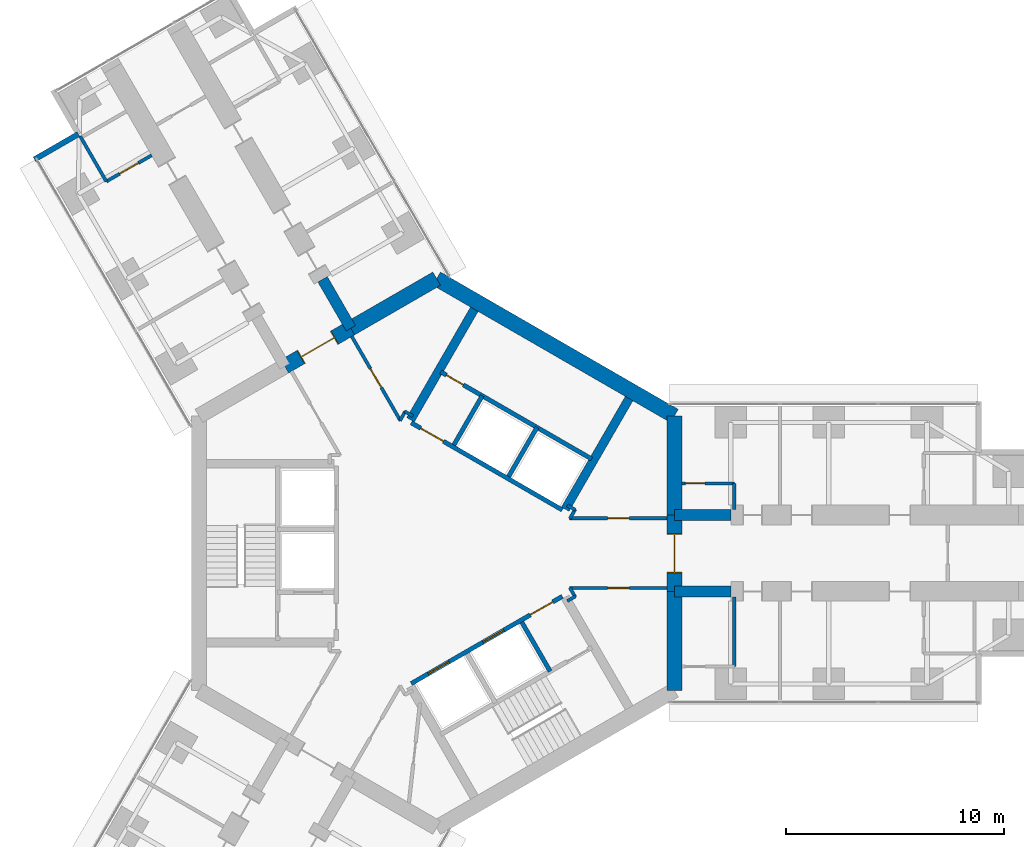
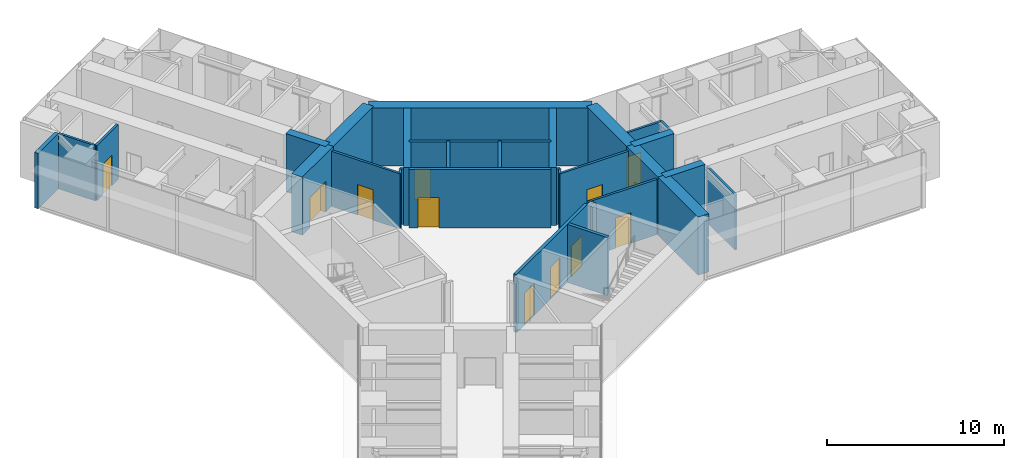
# One storey, part 18 of 24: 32 walls, 12 doors, 12 openings.
"""IFC4 building model written with IfcOpenShell, lengths in metres."""

import ifcopenshell
import ifcopenshell.guid

model = None  # the IFC model being written
_history = None  # IfcOwnerHistory: only IFC2X3 demands one
_inside = {}  # id of a spatial element -> (the spatial element, [elements in it])
_under = {}  # id of a project, library or spatial element -> (it, [spatial elements below it])
_declared = {}  # id of a project -> (the project, [libraries it declares])
_typed = {}  # id of a type object -> (the type object, [elements of that type])
_made_of = {}  # id of a material, layer set ... -> (it, [elements and type objects made of it])


def new_model(schema):
    """Start an empty IFC model of exactly this schema.

    Asked for "IFC4X3", IfcOpenShell would pick the latest addendum, in which some entities
    have other attributes; the version numbers below select the first issue.
    IFC2X3 requires an IfcOwnerHistory on every rooted entity: one is made here for all.
    """
    global model, _history
    if schema == "IFC4X3":
        model = ifcopenshell.file(schema_version=(4, 3, 0, 0))
    else:
        model = ifcopenshell.file(schema=schema)
    _inside.clear()
    _under.clear()
    _declared.clear()
    _typed.clear()
    _made_of.clear()
    _history = None
    if model.schema == "IFC2X3":
        org = make("IfcOrganization", Name="unknown")
        user = make(
            "IfcPersonAndOrganization",
            ThePerson=make("IfcPerson", FamilyName="unknown"),
            TheOrganization=org,
        )
        app = make(
            "IfcApplication",
            ApplicationDeveloper=org,
            Version="unknown",
            ApplicationFullName="unknown",
            ApplicationIdentifier="unknown",
        )
        _history = make(
            "IfcOwnerHistory",
            OwningUser=user,
            OwningApplication=app,
            ChangeAction="ADDED",
            CreationDate=0,
        )
    return model


def make(cls, **values):
    """One entity of the class cls with the attributes given. An attribute that is None is left unset."""
    return model.create_entity(
        cls, **{name: value for name, value in values.items() if value is not None}
    )


def rooted(cls, **values):
    """An entity with a GlobalId (a new one), such as an element, a storey or a relation."""
    return make(cls, GlobalId=ifcopenshell.guid.new(), OwnerHistory=_history, **values)


def si_unit(unit_type, name, prefix=None):
    """IfcSIUnit, for example si_unit("LENGTHUNIT", "METRE", prefix="MILLI")."""
    return make("IfcSIUnit", UnitType=unit_type, Prefix=prefix, Name=name)


def assignment(units):
    """IfcUnitAssignment: the units of a project."""
    return None if units is None else make("IfcUnitAssignment", Units=units)


def point(xyz):
    """IfcCartesianPoint."""
    return None if xyz is None else make("IfcCartesianPoint", Coordinates=xyz)


def direction(xyz):
    """IfcDirection."""
    return None if xyz is None else make("IfcDirection", DirectionRatios=xyz)


def frame(location, z_axis=None, x_axis=None):
    """IfcAxis2Placement3D, a coordinate frame: its origin and axes. An axis left out is left unset."""
    return make(
        "IfcAxis2Placement3D",
        Location=point(location),
        Axis=direction(z_axis),
        RefDirection=direction(x_axis),
    )


def frame_2d(location, x_axis=None):
    """IfcAxis2Placement2D, a coordinate frame in the plane: its origin and x axis."""
    return make(
        "IfcAxis2Placement2D", Location=point(location), RefDirection=direction(x_axis)
    )


def origin():
    """The frame at (0, 0, 0) with its axes left unset."""
    return frame((0.0, 0.0, 0.0))


def place(relative_to, where):
    """IfcLocalPlacement: puts the frame where relative to a parent placement (None: the world)."""
    return make(
        "IfcLocalPlacement", PlacementRelTo=relative_to, RelativePlacement=where
    )


def context(
    kind, dimensions, precision=None, world=None, true_north=None, identifier=None
):
    """IfcGeometricRepresentationContext, for example the 3D "Model" context."""
    return make(
        "IfcGeometricRepresentationContext",
        ContextIdentifier=identifier,
        ContextType=kind,
        CoordinateSpaceDimension=dimensions,
        Precision=precision,
        WorldCoordinateSystem=world,
        TrueNorth=true_north,
    )


def subcontext(parent, identifier, kind, view, scale=None):
    """IfcGeometricRepresentationSubContext, for example "Body" below "Model"."""
    return make(
        "IfcGeometricRepresentationSubContext",
        ContextIdentifier=identifier,
        ContextType=kind,
        ParentContext=parent,
        TargetScale=scale,
        TargetView=view,
    )


def project(units=None, contexts=None):
    """IfcProject with its units and contexts."""
    return rooted(
        "IfcProject",
        Name="project",
        RepresentationContexts=contexts,
        UnitsInContext=assignment(units),
    )


def spatial(cls, under=None, at=None, **own):
    """A site, building, storey or space (cls), placed at a placement, below another one or the project."""
    s = rooted(cls, ObjectPlacement=at, **own)
    if under is not None:
        _under.setdefault(under.id(), (under, []))[1].append(s)
    return s


def profile(cls, at=None, kind="AREA", **sizes):
    """A parametric profile (cls). Its sizes go by their IFC names, for example OverallWidth=200.0."""
    return make(cls, ProfileType=kind, Position=at, **sizes)


def rectangle(**sizes):
    """IfcRectangleProfileDef."""
    return profile("IfcRectangleProfileDef", **sizes)


def extrude(swept, where, along, depth):
    """IfcExtrudedAreaSolid: the profile swept, set in the frame where, extruded along a direction by depth."""
    return make(
        "IfcExtrudedAreaSolid",
        SweptArea=swept,
        Position=where,
        ExtrudedDirection=direction(along),
        Depth=depth,
    )


def shape(context_of_items, identifier, shape_type, items):
    """IfcShapeRepresentation: the items that make up one representation, for example the "Body"."""
    return make(
        "IfcShapeRepresentation",
        ContextOfItems=context_of_items,
        RepresentationIdentifier=identifier,
        RepresentationType=shape_type,
        Items=items,
    )


def material(Name=None, Category=None):
    """IfcMaterial."""
    return make("IfcMaterial", Name=Name, Category=Category)


def layer(
    of_material, thickness, ventilated=None, Name=None, Category=None, Priority=None
):
    """IfcMaterialLayer: one layer of a wall or slab, of a material (None: an air gap)."""
    return make(
        "IfcMaterialLayer",
        Material=of_material,
        LayerThickness=thickness,
        IsVentilated=ventilated,
        Name=Name,
        Category=Category,
        Priority=Priority,
    )


def layer_set(layers, Name=None):
    """IfcMaterialLayerSet."""
    return make("IfcMaterialLayerSet", MaterialLayers=layers, LayerSetName=Name)


def made_of(thing, what):
    """Note that an element or type object is made of a material, layer set ...; save() writes the relation."""
    if what is not None:
        _made_of.setdefault(what.id(), (what, []))[1].append(thing)
    return thing


def type_object(cls, material=None, **own):
    """A type object (cls), such as IfcWallType, which elements share."""
    return made_of(rooted(cls, **own), material)


def element(
    cls,
    number,
    at=None,
    inside=None,
    cuts=None,
    type_object=None,
    material=None,
    context=None,
    identifier="Body",
    shape_type=None,
    held_by="IfcProductDefinitionShape",
    body=None,
    shapes=None,
    **own,
):
    """One element of the class cls, such as IfcWall. Its Tag is "e" and its number.

    at: its placement. inside: the storey or other place that contains it. cuts: it is an
    opening in that element (IfcRelVoidsElement). A single representation is given by context,
    identifier, shape_type and body (its items); several are given by shapes. held_by: the class
    of the entity that holds the representations. save() writes the other relations.
    """
    e = rooted(cls, Tag="e%d" % number, ObjectPlacement=at, **own)
    if body is not None:
        shapes = [shape(context, identifier, shape_type, body)]
    if shapes is not None:
        e.Representation = make(held_by, Representations=shapes)
    if inside is not None:
        _inside.setdefault(inside.id(), (inside, []))[1].append(e)
    if cuts is not None:
        rooted(
            "IfcRelVoidsElement", RelatingBuildingElement=cuts, RelatedOpeningElement=e
        )
    if type_object is not None:
        _typed.setdefault(type_object.id(), (type_object, []))[1].append(e)
    return made_of(e, material)


def fill(opening, filler):
    """IfcRelFillsElement: the door or window that sits in an opening."""
    return rooted(
        "IfcRelFillsElement",
        RelatingOpeningElement=opening,
        RelatedBuildingElement=filler,
    )


def aggregate(whole, parts):
    """IfcRelAggregates: a whole, such as a stair, and the parts it consists of."""
    return rooted("IfcRelAggregates", RelatingObject=whole, RelatedObjects=parts)


def save(model, path):
    """Write the relations noted so far, then the file.

    IfcRelAggregates (storeys below a building ...), IfcRelContainedInSpatialStructure (elements
    in a storey), IfcRelDefinesByType, IfcRelAssociatesMaterial and IfcRelDeclares: one each for
    every whole, place, type object, material and project.
    """
    for whole, parts in _under.values():
        aggregate(whole, parts)
    for where, things in _inside.values():
        rooted(
            "IfcRelContainedInSpatialStructure",
            RelatedElements=things,
            RelatingStructure=where,
        )
    for kind, things in _typed.values():
        rooted("IfcRelDefinesByType", RelatedObjects=things, RelatingType=kind)
    for what, things in _made_of.values():
        rooted("IfcRelAssociatesMaterial", RelatedObjects=things, RelatingMaterial=what)
    for by, libraries in _declared.values():
        rooted("IfcRelDeclares", RelatingContext=by, RelatedDefinitions=libraries)
    model.write(path)


model = new_model("IFC4")

# Units and contexts
model_context = context("Model", 3, precision=1e-05, world=origin(), true_north=direction((0.0, 1.0)))
body_context = subcontext(model_context, "Body", "Model", "MODEL_VIEW")
ifc_project = project(units=[si_unit("LENGTHUNIT", "METRE"), si_unit("AREAUNIT", "SQUARE_METRE"), si_unit("VOLUMEUNIT", "CUBIC_METRE"), si_unit("PLANEANGLEUNIT", "RADIAN"), si_unit("MASSUNIT", "GRAM", prefix="KILO")], contexts=[model_context])

# Site, building, storey
site_placement = place(None, origin())
site = spatial("IfcSite", under=ifc_project, at=site_placement, CompositionType="ELEMENT")
building_placement = place(site_placement, origin())
building = spatial("IfcBuilding", under=site, at=building_placement, Name="Upepo Twin Towers", CompositionType="ELEMENT")
storey_placement = place(building_placement, frame((0.0, 0.0, 52.5)))
storey = spatial("IfcBuildingStorey", under=building, at=storey_placement, Name="L12", CompositionType="ELEMENT", Elevation=52.5)

# Walls
ifc_material_1 = material(Name="Concrete C60/75", Category="concrete")
ifc_layer_1 = layer(ifc_material_1, 0.5)
ifc_layer_set_1 = layer_set([ifc_layer_1], Name="Concrete C60/75")
wall_type_1 = type_object("IfcWallType", Name="Buttress wall 500 RC", PredefinedType="SHEAR", material=ifc_layer_set_1)
for number, where, z_axis, x_axis, name in (
    (1, (10.908447265625, 1.75, 0.0), (0.0, 0.0, 1.0), (1.0, 0.0, 0.0), "T1 wing A buttress wall L"),
    (2, (10.908447265625, -1.75, 0.0), (0.0, 0.0, 1.0), (1.0, 0.0, 0.0), "T1 wing A buttress wall R"),
):
    element("IfcWall", number, at=place(storey_placement, frame(where, z_axis=z_axis, x_axis=x_axis)), inside=storey, type_object=wall_type_1, Name=name, PredefinedType="SHEAR", context=body_context, shape_type="SweptSolid", body=[
        extrude(rectangle(XDim=2.591552734375, YDim=0.5, at=frame_2d((1.2958984375, 0.0))), origin(), (0.0, 0.0, 1.0), 4.0),
    ])
wall_1_placement = place(storey_placement, frame((-3.938720703125, 10.32177734375, 0.0), z_axis=(0.0, 0.0, 1.0), x_axis=(-0.499918158782, 0.866072649678, 0.0)))
element("IfcWall", 3, at=wall_1_placement, inside=storey, type_object=wall_type_1, Name="T1 wing B buttress wall R", PredefinedType="SHEAR", context=body_context, shape_type="SweptSolid", body=[
    extrude(rectangle(XDim=2.591796875, YDim=0.5, at=frame_2d((1.2958984375, 0.0))), origin(), (0.0, 0.0, 1.0), 4.0),
])
ifc_material_2 = material(Name="Concrete C60/75", Category="concrete")
ifc_layer_2 = layer(ifc_material_2, 0.699951171875)
ifc_layer_set_2 = layer_set([ifc_layer_2], Name="Concrete C60/75")
wall_type_2 = type_object("IfcWallType", Name="Core wall 700 RC", PredefinedType="SHEAR", material=ifc_layer_set_2)
wall_2_placement = place(storey_placement, frame((10.908447265625, -6.2978515625, 0.0), z_axis=(0.0, 0.0, 1.0), x_axis=(0.0, 1.0, 0.0)))
element("IfcWall", 4, at=wall_2_placement, inside=storey, type_object=wall_type_2, Name="T1 core wall 000 R", PredefinedType="SHEAR", context=body_context, shape_type="SweptSolid", body=[
    extrude(rectangle(XDim=4.5478515625, YDim=0.699951171875, at=frame_2d((2.27392578125, 0.0))), origin(), (0.0, 0.0, 1.0), 4.0),
])

# Wall, opening, door
wall_3_placement = place(storey_placement, frame((10.908447265625, -1.75, 0.0), z_axis=(0.0, 0.0, 1.0), x_axis=(0.0, 1.0, 0.0)))
wall_3 = element("IfcWall", 5, at=wall_3_placement, inside=storey, type_object=wall_type_2, Name="T1 core wall 000", PredefinedType="SHEAR", context=body_context, shape_type="SweptSolid", body=[
    extrude(rectangle(XDim=3.5, YDim=0.699951171875, at=frame_2d((1.75, 0.0))), origin(), (0.0, 0.0, 1.0), 4.0),
])
opening_1_placement = place(wall_3_placement, frame((0.85009765625, 0.0, 0.0)))
opening_1 = element("IfcOpeningElement", 6, at=opening_1_placement, cuts=wall_3, Name="Opening D2", PredefinedType="OPENING", context=body_context, shape_type="SweptSolid", body=[
    extrude(rectangle(XDim=1.800048828125, YDim=2.10009765625, at=frame_2d((0.89990234375, 1.050048828125))), frame((0.0, 0.35986328125, 0.0), z_axis=(0.0, -1.0, 0.0), x_axis=(1.0, 0.0, 0.0)), (0.0, 0.0, 1.0), 0.719970703125),
])
ifc_material_3 = material(Name="Timber doorset", Category="wood")
door_type_1 = type_object("IfcDoorType", Name="Corridor double door 1800 FD60", OperationType="DOUBLE_DOOR_DOUBLE_SWING", PredefinedType="DOOR", material=ifc_material_3)
door_1_placement = place(opening_1_placement, origin())
door_1 = element("IfcDoor", 7, at=door_1_placement, inside=storey, type_object=door_type_1, Name="T1 L12 wing A corridor door", OperationType="DOUBLE_DOOR_DOUBLE_SWING", OverallHeight=2.10009765625, OverallWidth=1.800048828125, PredefinedType="DOOR", context=body_context, shape_type="SweptSolid", body=[
    extrude(rectangle(XDim=1.720048828125, YDim=2.06009765625, at=frame_2d((0.89990234375, 1.030029296875))), frame((0.0, 0.02490234375, 0.0), z_axis=(0.0, -1.0, 0.0), x_axis=(1.0, 0.0, 0.0)), (0.0, 0.0, 1.0), 0.050048828125),
    extrude(rectangle(XDim=0.04, YDim=2.10009765625, at=frame_2d((0.02001953125, 1.050048828125))), frame((0.0, 0.349609375, 0.0), z_axis=(0.0, -1.0, 0.0), x_axis=(1.0, 0.0, 0.0)), (0.0, 0.0, 1.0), 0.699462890625),
    extrude(rectangle(XDim=0.04, YDim=2.10009765625, at=frame_2d((1.780029296875, 1.050048828125))), frame((0.0, 0.349609375, 0.0), z_axis=(0.0, -1.0, 0.0), x_axis=(1.0, 0.0, 0.0)), (0.0, 0.0, 1.0), 0.699462890625),
    extrude(rectangle(XDim=1.720048828125, YDim=0.04, at=frame_2d((0.89990234375, 2.080078125))), frame((0.0, 0.349609375, 0.0), z_axis=(0.0, -1.0, 0.0), x_axis=(1.0, 0.0, 0.0)), (0.0, 0.0, 1.0), 0.699462890625),
])
fill(opening_1, door_1)

# Walls
wall_4_placement = place(storey_placement, frame((10.908447265625, 1.75, 0.0), z_axis=(0.0, 0.0, 1.0), x_axis=(0.0, 1.0, 0.0)))
element("IfcWall", 8, at=wall_4_placement, inside=storey, type_object=wall_type_2, Name="T1 core wall 000 L", PredefinedType="SHEAR", context=body_context, shape_type="SweptSolid", body=[
    extrude(rectangle(XDim=4.5478515625, YDim=0.699951171875, at=frame_2d((2.27392578125, 0.0))), origin(), (0.0, 0.0, 1.0), 4.0),
])
wall_5_placement = place(storey_placement, frame((10.908447265625, 6.2978515625, 0.0), z_axis=(0.0, 0.0, 1.0), x_axis=(-0.866021940709, 0.500005998175, 0.0)))
element("IfcWall", 9, at=wall_5_placement, inside=storey, type_object=wall_type_2, Name="T1 core wall 060", PredefinedType="SHEAR", context=body_context, shape_type="SweptSolid", body=[
    extrude(rectangle(XDim=12.595947265625, YDim=0.699951171875, at=frame_2d((6.2978515625, 0.0))), origin(), (0.0, 0.0, 1.0), 4.0),
])
wall_6_placement = place(storey_placement, frame((0.0, 12.595947265625, 0.0), z_axis=(0.0, 0.0, 1.0), x_axis=(-0.866011268655, -0.500024481964, 0.0)))
element("IfcWall", 10, at=wall_6_placement, inside=storey, type_object=wall_type_2, Name="T1 core wall 120 R", PredefinedType="SHEAR", context=body_context, shape_type="SweptSolid", body=[
    extrude(rectangle(XDim=4.548095703125, YDim=0.699951171875, at=frame_2d((2.27392578125, 0.0))), origin(), (0.0, 0.0, 1.0), 4.0),
])

# Wall, opening, door
wall_7_placement = place(storey_placement, frame((-3.938720703125, 10.32177734375, 0.0), z_axis=(0.0, 0.0, 1.0), x_axis=(-0.866019471182, -0.500010275428, 0.0)))
wall_7 = element("IfcWall", 11, at=wall_7_placement, inside=storey, type_object=wall_type_2, Name="T1 core wall 120", PredefinedType="SHEAR", context=body_context, shape_type="SweptSolid", body=[
    extrude(rectangle(XDim=3.5, YDim=0.699951171875, at=frame_2d((1.75, 0.0))), origin(), (0.0, 0.0, 1.0), 4.0),
])
opening_2_placement = place(wall_7_placement, frame((0.85009765625, 0.0, 0.0)))
opening_2 = element("IfcOpeningElement", 12, at=opening_2_placement, cuts=wall_7, Name="Opening D2", PredefinedType="OPENING", context=body_context, shape_type="SweptSolid", body=[
    extrude(rectangle(XDim=1.800048828125, YDim=2.10009765625, at=frame_2d((0.89990234375, 1.050048828125))), frame((0.0, 0.35986328125, 0.0), z_axis=(0.0, -1.0, 0.0), x_axis=(1.0, 0.0, 0.0)), (0.0, 0.0, 1.0), 0.719970703125),
])
door_2_placement = place(opening_2_placement, origin())
door_2 = element("IfcDoor", 13, at=door_2_placement, inside=storey, type_object=door_type_1, Name="T1 L12 wing B corridor door", OperationType="DOUBLE_DOOR_DOUBLE_SWING", OverallHeight=2.10009765625, OverallWidth=1.800048828125, PredefinedType="DOOR", context=body_context, shape_type="SweptSolid", body=[
    extrude(rectangle(XDim=1.720048828125, YDim=2.06009765625, at=frame_2d((0.89990234375, 1.030029296875))), frame((0.0, 0.02490234375, 0.0), z_axis=(0.0, -1.0, 0.0), x_axis=(1.0, 0.0, 0.0)), (0.0, 0.0, 1.0), 0.050048828125),
    extrude(rectangle(XDim=0.04, YDim=2.10009765625, at=frame_2d((0.02001953125, 1.050048828125))), frame((0.0, 0.349609375, 0.0), z_axis=(0.0, -1.0, 0.0), x_axis=(1.0, 0.0, 0.0)), (0.0, 0.0, 1.0), 0.699462890625),
    extrude(rectangle(XDim=0.04, YDim=2.10009765625, at=frame_2d((1.780029296875, 1.050048828125))), frame((0.0, 0.349609375, 0.0), z_axis=(0.0, -1.0, 0.0), x_axis=(1.0, 0.0, 0.0)), (0.0, 0.0, 1.0), 0.699462890625),
    extrude(rectangle(XDim=1.720048828125, YDim=0.04, at=frame_2d((0.89990234375, 2.080078125))), frame((0.0, 0.349609375, 0.0), z_axis=(0.0, -1.0, 0.0), x_axis=(1.0, 0.0, 0.0)), (0.0, 0.0, 1.0), 0.699462890625),
])
fill(opening_2, door_2)

# Wall
ifc_material_4 = material(Name="Blockwork with anodised aluminium cladding", Category="masonry")
ifc_layer_3 = layer(ifc_material_4, 0.25)
ifc_layer_set_3 = layer_set([ifc_layer_3], Name="Notch cladding wall 250, pale metal")
wall_type_3 = type_object("IfcWallType", Name="Notch cladding wall 250, pale metal", PredefinedType="STANDARD", material=ifc_layer_set_3)
wall_8_placement = place(storey_placement, frame((-18.456298828125, 18.0673828125, 0.0), z_axis=(0.0, 0.0, 1.0), x_axis=(0.865998469481, 0.500046648681, 0.0)))
element("IfcWall", 14, at=wall_8_placement, inside=storey, type_object=wall_type_3, Name="T1 L12 wing B notch wall L1", PredefinedType="STANDARD", context=body_context, shape_type="SweptSolid", body=[
    extrude(rectangle(XDim=2.324951171875, YDim=0.25, at=frame_2d((1.16259765625, 0.0))), origin(), (0.0, 0.0, 1.0), 3.800048828125),
])

# Wall, opening, door
ifc_material_5 = material(Name="Concrete C40/50", Category="concrete")
ifc_layer_4 = layer(ifc_material_5, 0.199951171875)
ifc_layer_set_4 = layer_set([ifc_layer_4], Name="Concrete C40/50")
wall_type_4 = type_object("IfcWallType", Name="Shaft wall 200 RC", PredefinedType="SHEAR", material=ifc_layer_set_4)
wall_9_placement = place(storey_placement, frame((5.76416015625, 1.983642578125, 0.0), z_axis=(0.0, 0.0, 1.0), x_axis=(-0.866026010844, 0.49999894854, 0.0)))
wall_9 = element("IfcWall", 15, at=wall_9_placement, inside=storey, type_object=wall_type_4, Name="T1 core W60 front wall", PredefinedType="SHEAR", context=body_context, shape_type="SweptSolid", body=[
    extrude(rectangle(XDim=8.0, YDim=0.199951171875, at=frame_2d((4.0, 0.0))), origin(), (0.0, 0.0, 1.0), 4.0),
])
opening_3_placement = place(wall_9_placement, frame((6.300048828125, 0.0, 0.0)))
opening_3 = element("IfcOpeningElement", 16, at=opening_3_placement, cuts=wall_9, Name="Opening D4", PredefinedType="OPENING", context=body_context, shape_type="SweptSolid", body=[
    extrude(rectangle(XDim=1.199951171875, YDim=2.10009765625, at=frame_2d((0.60009765625, 1.050048828125))), frame((0.0, 0.10986328125, 0.0), z_axis=(0.0, -1.0, 0.0), x_axis=(1.0, 0.0, 0.0)), (0.0, 0.0, 1.0), 0.219970703125),
])
ifc_material_6 = material(Name="Timber doorset", Category="wood")
door_type_2 = type_object("IfcDoorType", Name="Lobby door 1200 FD60", OperationType="SINGLE_SWING_LEFT", PredefinedType="DOOR", material=ifc_material_6)
door_3_placement = place(opening_3_placement, origin())
door_3 = element("IfcDoor", 17, at=door_3_placement, inside=storey, type_object=door_type_2, Name="T1 L12 W60 lobby door", OperationType="SINGLE_SWING_RIGHT", OverallHeight=2.10009765625, OverallWidth=1.199951171875, PredefinedType="DOOR", context=body_context, shape_type="SweptSolid", body=[
    extrude(rectangle(XDim=1.199951171875, YDim=2.10009765625, at=frame_2d((0.60009765625, 1.050048828125))), frame((0.0, 0.02490234375, 0.0), z_axis=(0.0, -1.0, 0.0), x_axis=(1.0, 0.0, 0.0)), (0.0, 0.0, 1.0), 0.050048828125),
])
fill(opening_3, door_3)

# Walls
for number, where, z_axis, x_axis, name in (
    (18, (3.302734375, 3.520263671875, 0.0), (0.0, 0.0, 1.0), (0.499936506574, 0.866062058628, 0.0), "T1 core W60 shaft divider"),
    (19, (0.791259765625, 4.97021484375, 0.0), (0.0, 0.0, 1.0), (0.499936506574, 0.866062058628, 0.0), "T1 core W60 lobby wall"),
):
    element("IfcWall", number, at=place(storey_placement, frame(where, z_axis=z_axis, x_axis=x_axis)), inside=storey, type_object=wall_type_4, Name=name, PredefinedType="SHEAR", context=body_context, shape_type="SweptSolid", body=[
        extrude(rectangle(XDim=2.599853515625, YDim=0.199951171875, at=frame_2d((1.2998046875, 0.0))), origin(), (0.0, 0.0, 1.0), 4.0),
    ])

# Wall, opening, door
wall_10_placement = place(storey_placement, frame((7.114013671875, 4.322021484375, 0.0), z_axis=(0.0, 0.0, 1.0), x_axis=(-0.866026010844, 0.49999894854, 0.0)))
wall_10 = element("IfcWall", 20, at=wall_10_placement, inside=storey, type_object=wall_type_4, Name="T1 core W60 stair wall", PredefinedType="SHEAR", context=body_context, shape_type="SweptSolid", body=[
    extrude(rectangle(XDim=8.0, YDim=0.199951171875, at=frame_2d((4.0, 0.0))), origin(), (0.0, 0.0, 1.0), 4.0),
])
opening_4_placement = place(wall_10_placement, frame((6.800048828125, 0.0, 0.0)))
opening_4 = element("IfcOpeningElement", 21, at=opening_4_placement, cuts=wall_10, Name="Opening D9", PredefinedType="OPENING", context=body_context, shape_type="SweptSolid", body=[
    extrude(rectangle(XDim=0.89990234375, YDim=2.10009765625, at=frame_2d((0.449951171875, 1.050048828125))), frame((0.0, 0.10986328125, 0.0), z_axis=(0.0, -1.0, 0.0), x_axis=(1.0, 0.0, 0.0)), (0.0, 0.0, 1.0), 0.219970703125),
])
ifc_material_7 = material(Name="Timber doorset", Category="wood")
door_type_3 = type_object("IfcDoorType", Name="Riser door 900 FD60", OperationType="SINGLE_SWING_LEFT", PredefinedType="DOOR", material=ifc_material_7)
door_4_placement = place(opening_4_placement, origin())
door_4 = element("IfcDoor", 22, at=door_4_placement, inside=storey, type_object=door_type_3, Name="T1 L12 riser door", OperationType="SINGLE_SWING_RIGHT", OverallHeight=2.10009765625, OverallWidth=0.89990234375, PredefinedType="DOOR", context=body_context, shape_type="SweptSolid", body=[
    extrude(rectangle(XDim=0.89990234375, YDim=2.10009765625, at=frame_2d((0.449951171875, 1.050048828125))), frame((0.0, 0.02490234375, 0.0), z_axis=(0.0, -1.0, 0.0), x_axis=(1.0, 0.0, 0.0)), (0.0, 0.0, 1.0), 0.050048828125),
])
fill(opening_4, door_4)

# Wall, openings, doors
wall_11_placement = place(storey_placement, frame((-1.1640625, -5.983642578125, 0.0), z_axis=(0.0, 0.0, 1.0), x_axis=(0.866026010844, 0.49999894854, 0.0)))
wall_11 = element("IfcWall", 23, at=wall_11_placement, inside=storey, type_object=wall_type_4, Name="T1 core W300 front wall", PredefinedType="SHEAR", context=body_context, shape_type="SweptSolid", body=[
    extrude(rectangle(XDim=8.0, YDim=0.199951171875, at=frame_2d((4.0, 0.0))), origin(), (0.0, 0.0, 1.0), 4.0),
])
opening_5_placement = place(wall_11_placement, frame((6.300048828125, 0.0, 0.0)))
opening_5 = element("IfcOpeningElement", 24, at=opening_5_placement, cuts=wall_11, Name="Opening D4", PredefinedType="OPENING", context=body_context, shape_type="SweptSolid", body=[
    extrude(rectangle(XDim=1.199951171875, YDim=2.10009765625, at=frame_2d((0.60009765625, 1.050048828125))), frame((0.0, 0.10986328125, 0.0), z_axis=(0.0, -1.0, 0.0), x_axis=(1.0, 0.0, 0.0)), (0.0, 0.0, 1.0), 0.219970703125),
])
opening_6_placement = place(wall_11_placement, frame((0.89990234375, 0.0, 0.0)))
opening_6 = element("IfcOpeningElement", 25, at=opening_6_placement, cuts=wall_11, Name="Opening LD1", PredefinedType="OPENING", context=body_context, shape_type="SweptSolid", body=[
    extrude(rectangle(XDim=1.10009765625, YDim=2.199951171875, at=frame_2d((0.550048828125, 1.10009765625))), frame((0.0, 0.10986328125, 0.0), z_axis=(0.0, -1.0, 0.0), x_axis=(1.0, 0.0, 0.0)), (0.0, 0.0, 1.0), 0.219970703125),
])
opening_7_placement = place(wall_11_placement, frame((3.800048828125, 0.0, 0.0)))
opening_7 = element("IfcOpeningElement", 26, at=opening_7_placement, cuts=wall_11, Name="Opening LD1", PredefinedType="OPENING", context=body_context, shape_type="SweptSolid", body=[
    extrude(rectangle(XDim=1.10009765625, YDim=2.199951171875, at=frame_2d((0.550048828125, 1.10009765625))), frame((0.0, 0.10986328125, 0.0), z_axis=(0.0, -1.0, 0.0), x_axis=(1.0, 0.0, 0.0)), (0.0, 0.0, 1.0), 0.219970703125),
])
ifc_material_8 = material(Name="Steel doorset", Category="steel")
door_type_4 = type_object("IfcDoorType", Name="Lift landing door 1100", OperationType="DOUBLE_DOOR_SLIDING", PredefinedType="DOOR", material=ifc_material_8)
door_5_placement = place(opening_6_placement, origin())
door_5 = element("IfcDoor", 27, at=door_5_placement, inside=storey, type_object=door_type_4, Name="T1 L12 lift LL1 landing door", OperationType="DOUBLE_DOOR_SLIDING", OverallHeight=2.199951171875, OverallWidth=1.10009765625, PredefinedType="DOOR", context=body_context, shape_type="SweptSolid", body=[
    extrude(rectangle(XDim=1.10009765625, YDim=2.199951171875, at=frame_2d((0.550048828125, 1.10009765625))), frame((0.0, 0.02490234375, 0.0), z_axis=(0.0, -1.0, 0.0), x_axis=(1.0, 0.0, 0.0)), (0.0, 0.0, 1.0), 0.050048828125),
])
fill(opening_6, door_5)
door_6_placement = place(opening_7_placement, origin())
door_6 = element("IfcDoor", 28, at=door_6_placement, inside=storey, type_object=door_type_4, Name="T1 L12 lift LL2 landing door", OperationType="DOUBLE_DOOR_SLIDING", OverallHeight=2.199951171875, OverallWidth=1.10009765625, PredefinedType="DOOR", context=body_context, shape_type="SweptSolid", body=[
    extrude(rectangle(XDim=1.10009765625, YDim=2.199951171875, at=frame_2d((0.550048828125, 1.10009765625))), frame((0.0, 0.02490234375, 0.0), z_axis=(0.0, -1.0, 0.0), x_axis=(1.0, 0.0, 0.0)), (0.0, 0.0, 1.0), 0.050048828125),
])
fill(opening_7, door_6)
door_7_placement = place(opening_5_placement, origin())
door_7 = element("IfcDoor", 29, at=door_7_placement, inside=storey, type_object=door_type_2, Name="T1 L12 W300 lobby door", OperationType="SINGLE_SWING_RIGHT", OverallHeight=2.10009765625, OverallWidth=1.199951171875, PredefinedType="DOOR", context=body_context, shape_type="SweptSolid", body=[
    extrude(rectangle(XDim=1.199951171875, YDim=2.10009765625, at=frame_2d((0.60009765625, 1.050048828125))), frame((0.0, 0.02490234375, 0.0), z_axis=(0.0, -1.0, 0.0), x_axis=(1.0, 0.0, 0.0)), (0.0, 0.0, 1.0), 0.050048828125),
])
fill(opening_5, door_7)

# Walls
wall_12_placement = place(storey_placement, frame((3.908935546875, -3.17041015625, 0.0), z_axis=(0.0, 0.0, 1.0), x_axis=(0.49997716683, -0.86603858612, 0.0)))
element("IfcWall", 30, at=wall_12_placement, inside=storey, type_object=wall_type_4, Name="T1 core W300 lobby wall", PredefinedType="SHEAR", context=body_context, shape_type="SweptSolid", body=[
    extrude(rectangle(XDim=2.599609375, YDim=0.199951171875, at=frame_2d((1.2998046875, 0.0))), origin(), (0.0, 0.0, 1.0), 4.0),
])
ifc_material_9 = material(Name="Concrete C40/50", Category="concrete")
ifc_layer_5 = layer(ifc_material_9, 0.39990234375)
ifc_layer_set_5 = layer_set([ifc_layer_5], Name="Concrete C40/50")
wall_type_5 = type_object("IfcWallType", Name="Shaft wall 400 RC", PredefinedType="SHEAR", material=ifc_layer_set_5)
for number, where, z_axis, x_axis, name in (
    (31, (-1.20068359375, 6.120361328125, 0.0), (0.0, 0.0, 1.0), (0.500002627198, 0.866023886965, 0.0), "T1 core W60 side wall N"),
    (32, (5.900634765625, 2.020263671875, 0.0), (0.0, 0.0, 1.0), (0.500002627198, 0.866023886965, 0.0), "T1 core W60 side wall S"),
):
    element("IfcWall", number, at=place(storey_placement, frame(where, z_axis=z_axis, x_axis=x_axis)), inside=storey, type_object=wall_type_5, Name=name, PredefinedType="SHEAR", context=body_context, shape_type="SweptSolid", body=[
        extrude(rectangle(XDim=5.8583984375, YDim=0.39990234375, at=frame_2d((2.92919921875, 0.0))), origin(), (0.0, 0.0, 1.0), 4.0),
    ])

# Wall, opening, door
ifc_material_10 = material(Name="Gypsum board on steel studs", Category="steel")
ifc_layer_6 = layer(ifc_material_10, 0.14990234375)
ifc_layer_set_6 = layer_set([ifc_layer_6], Name="Teaching partition 150 acoustic")
wall_type_6 = type_object("IfcWallType", Name="Teaching partition 150 acoustic", PredefinedType="PARTITIONING", material=ifc_layer_set_6)
wall_13_placement = place(storey_placement, frame((11.258056640625, 3.199951171875, 0.0), z_axis=(0.0, 0.0, 1.0), x_axis=(1.0, 0.0, 0.0)))
wall_13 = element("IfcWall", 33, at=wall_13_placement, inside=storey, type_object=wall_type_6, Name="T1 WC bay partition AL at 11.26", PredefinedType="PARTITIONING", context=body_context, shape_type="SweptSolid", body=[
    extrude(rectangle(XDim=2.39990234375, YDim=0.14990234375, at=frame_2d((1.199951171875, 0.0))), origin(), (0.0, 0.0, 1.0), 3.800048828125),
])
opening_8_placement = place(wall_13_placement, frame((0.14990234375, 0.0, 0.0)))
opening_8 = element("IfcOpeningElement", 34, at=opening_8_placement, cuts=wall_13, Name="Opening D14", PredefinedType="OPENING", context=body_context, shape_type="SweptSolid", body=[
    extrude(rectangle(XDim=0.89990234375, YDim=2.10009765625, at=frame_2d((0.449951171875, 1.050048828125))), frame((0.0, 0.0849609375, 0.0), z_axis=(0.0, -1.0, 0.0), x_axis=(1.0, 0.0, 0.0)), (0.0, 0.0, 1.0), 0.169921875),
])
ifc_material_11 = material(Name="Timber doorset", Category="wood")
door_type_5 = type_object("IfcDoorType", Name="Office door 900 FD30", OperationType="SINGLE_SWING_LEFT", PredefinedType="DOOR", material=ifc_material_11)
door_8_placement = place(opening_8_placement, origin())
door_8 = element("IfcDoor", 35, at=door_8_placement, inside=storey, type_object=door_type_5, Name="T1 L12 WC bay inner room door", OperationType="SINGLE_SWING_LEFT", OverallHeight=2.10009765625, OverallWidth=0.89990234375, PredefinedType="DOOR", context=body_context, shape_type="SweptSolid", body=[
    extrude(rectangle(XDim=0.89990234375, YDim=2.10009765625, at=frame_2d((0.449951171875, 1.050048828125))), frame((0.0, 0.02490234375, 0.0), z_axis=(0.0, -1.0, 0.0), x_axis=(1.0, 0.0, 0.0)), (0.0, 0.0, 1.0), 0.050048828125),
])
fill(opening_8, door_8)

# Walls
wall_14_placement = place(storey_placement, frame((13.657958984375, 2.0, 0.0), z_axis=(0.0, 0.0, 1.0), x_axis=(0.0, 1.0, 0.0)))
element("IfcWall", 36, at=wall_14_placement, inside=storey, type_object=wall_type_6, Name="T1 WC bay partition AL end at 13.66", PredefinedType="PARTITIONING", context=body_context, shape_type="SweptSolid", body=[
    extrude(rectangle(XDim=1.199951171875, YDim=0.14990234375, at=frame_2d((0.60009765625, 0.0))), origin(), (0.0, 0.0, 1.0), 3.800048828125),
])
wall_15_placement = place(storey_placement, frame((13.657958984375, -2.0, 0.0), z_axis=(0.0, 0.0, 1.0), x_axis=(0.0, -1.0, 0.0)))
element("IfcWall", 37, at=wall_15_placement, inside=storey, type_object=wall_type_6, Name="T1 WC bay partition AR end at 13.66", PredefinedType="PARTITIONING", context=body_context, shape_type="SweptSolid", body=[
    extrude(rectangle(XDim=3.199951171875, YDim=0.14990234375, at=frame_2d((1.60009765625, 0.0))), origin(), (0.0, 0.0, 1.0), 3.800048828125),
])
wall_16_placement = place(storey_placement, frame((-15.15869140625, 17.0556640625, 0.0), z_axis=(0.0, 0.0, 1.0), x_axis=(-0.500001309137, 0.866024647952, 0.0)))
element("IfcWall", 38, at=wall_16_placement, inside=storey, type_object=wall_type_6, Name="T1 inner room partition BL at 22.35", PredefinedType="PARTITIONING", context=body_context, shape_type="SweptSolid", body=[
    extrude(rectangle(XDim=2.39990234375, YDim=0.14990234375, at=frame_2d((1.199951171875, 0.0))), origin(), (0.0, 0.0, 1.0), 3.800048828125),
])

# Wall, opening, door
wall_17_placement = place(storey_placement, frame((-13.080322265625, 18.255615234375, 0.0), z_axis=(0.0, 0.0, 1.0), x_axis=(-0.866024647952, -0.500001309137, 0.0)))
wall_17 = element("IfcWall", 39, at=wall_17_placement, inside=storey, type_object=wall_type_6, Name="T1 inner room partition BL end at 22.35", PredefinedType="PARTITIONING", context=body_context, shape_type="SweptSolid", body=[
    extrude(rectangle(XDim=2.39990234375, YDim=0.14990234375, at=frame_2d((1.199951171875, 0.0))), origin(), (0.0, 0.0, 1.0), 3.800048828125),
])
opening_9_placement = place(wall_17_placement, frame((0.699951171875, 0.0, 0.0)))
opening_9 = element("IfcOpeningElement", 40, at=opening_9_placement, cuts=wall_17, Name="Opening D1", PredefinedType="OPENING", context=body_context, shape_type="SweptSolid", body=[
    extrude(rectangle(XDim=1.0, YDim=2.10009765625, at=frame_2d((0.5, 1.050048828125))), frame((0.0, 0.0849609375, 0.0), z_axis=(0.0, -1.0, 0.0), x_axis=(1.0, 0.0, 0.0)), (0.0, 0.0, 1.0), 0.169921875),
])
ifc_material_12 = material(Name="Timber doorset", Category="wood")
door_type_6 = type_object("IfcDoorType", Name="Room door 1000 FD30", OperationType="SINGLE_SWING_LEFT", PredefinedType="DOOR", material=ifc_material_12)
door_9_placement = place(opening_9_placement, origin())
door_9 = element("IfcDoor", 41, at=door_9_placement, inside=storey, type_object=door_type_6, Name="T1 L12 inner room door", OperationType="SINGLE_SWING_LEFT", OverallHeight=2.10009765625, OverallWidth=1.0, PredefinedType="DOOR", context=body_context, shape_type="SweptSolid", body=[
    extrude(rectangle(XDim=1.0, YDim=2.10009765625, at=frame_2d((0.5, 1.050048828125))), frame((0.0, 0.02490234375, 0.0), z_axis=(0.0, -1.0, 0.0), x_axis=(1.0, 0.0, 0.0)), (0.0, 0.0, 1.0), 0.050048828125),
])
fill(opening_9, door_9)

# Wall
wall_18_placement = place(storey_placement, frame((6.364501953125, -1.9833984375, 0.0), z_axis=(0.0, 0.0, 1.0), x_axis=(-0.865892400268, -0.500230298122, 0.0)))
element("IfcWall", 42, at=wall_18_placement, inside=storey, type_object=wall_type_6, Name="T1 core room partition 1", PredefinedType="PARTITIONING", context=body_context, shape_type="SweptSolid", body=[
    extrude(rectangle(XDim=0.429931640625, YDim=0.14990234375, at=frame_2d((0.21484375, 0.0))), origin(), (0.0, 0.0, 1.0), 3.800048828125),
])

# Wall, opening, door
wall_19_placement = place(storey_placement, frame((-3.8984375, 9.952392578125, 0.0), z_axis=(0.0, 0.0, 1.0), x_axis=(0.499999927604, -0.866025445582, 0.0)))
wall_19 = element("IfcWall", 43, at=wall_19_placement, inside=storey, type_object=wall_type_6, Name="T1 core room partition 11", PredefinedType="PARTITIONING", context=body_context, shape_type="SweptSolid", body=[
    extrude(rectangle(XDim=4.46826171875, YDim=0.14990234375, at=frame_2d((2.234130859375, 0.0))), origin(), (0.0, 0.0, 1.0), 3.800048828125),
])
opening_10_placement = place(wall_19_placement, frame((1.72412109375, 0.0, 0.0)))
opening_10 = element("IfcOpeningElement", 44, at=opening_10_placement, cuts=wall_19, Name="Opening D1", PredefinedType="OPENING", context=body_context, shape_type="SweptSolid", body=[
    extrude(rectangle(XDim=1.0, YDim=2.10009765625, at=frame_2d((0.5, 1.050048828125))), frame((0.0, 0.0849609375, 0.0), z_axis=(0.0, -1.0, 0.0), x_axis=(1.0, 0.0, 0.0)), (0.0, 0.0, 1.0), 0.169921875),
])
door_10_placement = place(opening_10_placement, origin())
door_10 = element("IfcDoor", 45, at=door_10_placement, inside=storey, type_object=door_type_6, Name="T1 L12 core room door K6", OperationType="SINGLE_SWING_LEFT", OverallHeight=2.10009765625, OverallWidth=1.0, PredefinedType="DOOR", context=body_context, shape_type="SweptSolid", body=[
    extrude(rectangle(XDim=1.0, YDim=2.10009765625, at=frame_2d((0.5, 1.050048828125))), frame((0.0, 0.02490234375, 0.0), z_axis=(0.0, -1.0, 0.0), x_axis=(1.0, 0.0, 0.0)), (0.0, 0.0, 1.0), 0.050048828125),
])
fill(opening_10, door_10)

# Walls
wall_20_placement = place(storey_placement, frame((-1.684326171875, 6.082763671875, 0.0), z_axis=(0.0, 0.0, 1.0), x_axis=(0.50033519877, 0.865831790172, 0.0)))
element("IfcWall", 46, at=wall_20_placement, inside=storey, type_object=wall_type_6, Name="T1 core room partition 12", PredefinedType="PARTITIONING", context=body_context, shape_type="SweptSolid", body=[
    extrude(rectangle(XDim=0.494384765625, YDim=0.14990234375, at=frame_2d((0.2470703125, 0.0))), origin(), (0.0, 0.0, 1.0), 3.800048828125),
])
for number, where, z_axis, x_axis, name in (
    (47, (-1.46435546875, 6.50341796875, 0.0), (0.0, 0.0, 1.0), (0.866138304741, -0.499804398801, 0.0), "T1 core room partition 13"),
    (48, (5.9921875, 2.198486328125, 0.0), (0.0, 0.0, 1.0), (0.865892400268, -0.500230298122, 0.0), "T1 core room partition 14"),
):
    element("IfcWall", number, at=place(storey_placement, frame(where, z_axis=z_axis, x_axis=x_axis)), inside=storey, type_object=wall_type_6, Name=name, PredefinedType="PARTITIONING", context=body_context, shape_type="SweptSolid", body=[
        extrude(rectangle(XDim=0.429931640625, YDim=0.14990234375, at=frame_2d((0.21484375, 0.0))), origin(), (0.0, 0.0, 1.0), 3.800048828125),
    ])
wall_21_placement = place(storey_placement, frame((6.357177734375, 2.0107421875, 0.0), z_axis=(0.0, 0.0, 1.0), x_axis=(-0.50033519877, -0.865831790172, 0.0)))
element("IfcWall", 49, at=wall_21_placement, inside=storey, type_object=wall_type_6, Name="T1 core room partition 15", PredefinedType="PARTITIONING", context=body_context, shape_type="SweptSolid", body=[
    extrude(rectangle(XDim=0.494384765625, YDim=0.14990234375, at=frame_2d((0.2470703125, 0.0))), origin(), (0.0, 0.0, 1.0), 3.800048828125),
])

# Wall, opening, door
wall_22_placement = place(storey_placement, frame((6.099853515625, 1.60009765625, 0.0), z_axis=(0.0, 0.0, 1.0), x_axis=(1.0, 0.0, 0.0)))
wall_22 = element("IfcWall", 50, at=wall_22_placement, inside=storey, type_object=wall_type_6, Name="T1 core room partition 16", PredefinedType="PARTITIONING", context=body_context, shape_type="SweptSolid", body=[
    extrude(rectangle(XDim=4.468505859375, YDim=0.14990234375, at=frame_2d((2.234375, 0.0))), origin(), (0.0, 0.0, 1.0), 3.800048828125),
])
opening_11_placement = place(wall_22_placement, frame((1.744384765625, 0.0, 0.0)))
opening_11 = element("IfcOpeningElement", 51, at=opening_11_placement, cuts=wall_22, Name="Opening D1", PredefinedType="OPENING", context=body_context, shape_type="SweptSolid", body=[
    extrude(rectangle(XDim=1.0, YDim=2.10009765625, at=frame_2d((0.5, 1.050048828125))), frame((0.0, 0.0849609375, 0.0), z_axis=(0.0, -1.0, 0.0), x_axis=(1.0, 0.0, 0.0)), (0.0, 0.0, 1.0), 0.169921875),
])
door_11_placement = place(opening_11_placement, origin())
door_11 = element("IfcDoor", 52, at=door_11_placement, inside=storey, type_object=door_type_6, Name="T1 L12 core room door K5", OperationType="SINGLE_SWING_RIGHT", OverallHeight=2.10009765625, OverallWidth=1.0, PredefinedType="DOOR", context=body_context, shape_type="SweptSolid", body=[
    extrude(rectangle(XDim=1.0, YDim=2.10009765625, at=frame_2d((0.5, 1.050048828125))), frame((0.0, 0.02490234375, 0.0), z_axis=(0.0, -1.0, 0.0), x_axis=(1.0, 0.0, 0.0)), (0.0, 0.0, 1.0), 0.050048828125),
])
fill(opening_11, door_11)

wall_23_placement = place(storey_placement, frame((10.568359375, -1.60009765625, 0.0), z_axis=(0.0, 0.0, 1.0), x_axis=(-1.0, 0.0, 0.0)))
wall_23 = element("IfcWall", 53, at=wall_23_placement, inside=storey, type_object=wall_type_6, Name="T1 core room partition 17", PredefinedType="PARTITIONING", context=body_context, shape_type="SweptSolid", body=[
    extrude(rectangle(XDim=4.468505859375, YDim=0.14990234375, at=frame_2d((2.234375, 0.0))), origin(), (0.0, 0.0, 1.0), 3.800048828125),
])
opening_12_placement = place(wall_23_placement, frame((1.72412109375, 0.0, 0.0)))
opening_12 = element("IfcOpeningElement", 54, at=opening_12_placement, cuts=wall_23, Name="Opening D1", PredefinedType="OPENING", context=body_context, shape_type="SweptSolid", body=[
    extrude(rectangle(XDim=1.0, YDim=2.10009765625, at=frame_2d((0.5, 1.050048828125))), frame((0.0, 0.0849609375, 0.0), z_axis=(0.0, -1.0, 0.0), x_axis=(1.0, 0.0, 0.0)), (0.0, 0.0, 1.0), 0.169921875),
])
door_12_placement = place(opening_12_placement, origin())
door_12 = element("IfcDoor", 55, at=door_12_placement, inside=storey, type_object=door_type_6, Name="T1 L12 core room door K4", OperationType="SINGLE_SWING_LEFT", OverallHeight=2.10009765625, OverallWidth=1.0, PredefinedType="DOOR", context=body_context, shape_type="SweptSolid", body=[
    extrude(rectangle(XDim=1.0, YDim=2.10009765625, at=frame_2d((0.5, 1.050048828125))), frame((0.0, 0.02490234375, 0.0), z_axis=(0.0, -1.0, 0.0), x_axis=(1.0, 0.0, 0.0)), (0.0, 0.0, 1.0), 0.050048828125),
])
fill(opening_12, door_12)

# Wall
wall_24_placement = place(storey_placement, frame((6.10986328125, -1.582763671875, 0.0), z_axis=(0.0, 0.0, 1.0), x_axis=(0.50033519877, -0.865831790172, 0.0)))
element("IfcWall", 56, at=wall_24_placement, inside=storey, type_object=wall_type_6, Name="T1 core room partition 18", PredefinedType="PARTITIONING", context=body_context, shape_type="SweptSolid", body=[
    extrude(rectangle(XDim=0.494384765625, YDim=0.14990234375, at=frame_2d((0.2470703125, 0.0))), origin(), (0.0, 0.0, 1.0), 3.800048828125),
])

save(model, "model.ifc")
